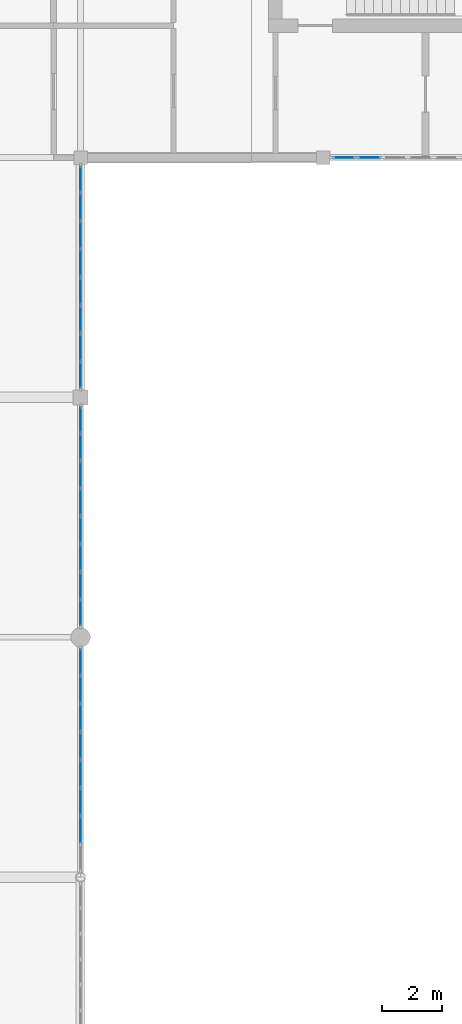
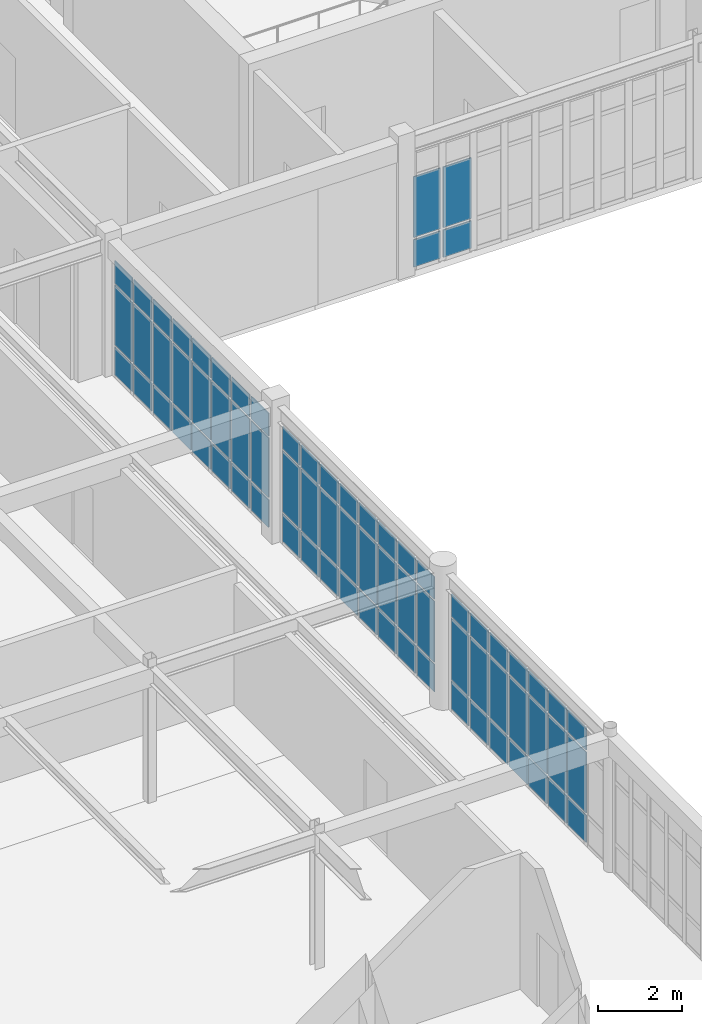
# One storey, part 25 of 36: 73 plates, 4 elements without a shape of their own.
"""IFC4 building model written with IfcOpenShell, lengths in metres."""

from ifc_helpers import new_model, si_unit, direction, frame, origin, origin_2d, place, context, subcontext, project, spatial, rectangle, extrude, material, layer, layer_set, type_object, element, aggregate, save


model = new_model("IFC4")

# Units and contexts
model_context = context("Model", 3, precision=1e-05, world=origin(), true_north=direction((0.0, 1.0)))
body_context = subcontext(model_context, "Body", "Model", "MODEL_VIEW")
ifc_project = project(units=[si_unit("LENGTHUNIT", "METRE"), si_unit("AREAUNIT", "SQUARE_METRE"), si_unit("VOLUMEUNIT", "CUBIC_METRE"), si_unit("PLANEANGLEUNIT", "RADIAN"), si_unit("MASSUNIT", "GRAM", prefix="KILO")], contexts=[model_context])

# Site, building, storey
site_placement = place(None, origin())
site = spatial("IfcSite", under=ifc_project, at=site_placement, CompositionType="ELEMENT")
building_placement = place(site_placement, origin())
building = spatial("IfcBuilding", under=site, at=building_placement, Name="Tarnveldt Square Police Headquarters", CompositionType="ELEMENT")
storey_placement = place(building_placement, frame((0.0, 0.0, 24.89990234375)))
storey = spatial("IfcBuildingStorey", under=building, at=storey_placement, Name="L05", CompositionType="ELEMENT", Elevation=24.89990234375)

# Curtain wall, plates
ifc_material = material(Name="Triple-glazed low-e laminated vision glass", Category="glass")
curtain_wall_type_1 = type_object("IfcCurtainWallType", Name="CW-UP-748x349", PredefinedType="USERDEFINED", material=ifc_material)
curtain_wall_1_placement = place(storey_placement, origin())
curtain_wall_1 = element("IfcCurtainWall", 1, at=curtain_wall_1_placement, inside=storey, type_object=curtain_wall_type_1, Name="L05 Curtain Wall CW-L05-086", ObjectType="GLAZED CURTAIN WALL", PredefinedType="USERDEFINED")
ifc_layer = layer(ifc_material, 0.028076171875)
ifc_layer_set = layer_set([ifc_layer], Name="Triple-glazed low-e laminated vision glass")
plate_type = type_object("IfcPlateType", Name="CWP-VIS-28", PredefinedType="CURTAIN_PANEL", material=ifc_layer_set)
plate_1_placement = place(storey_placement, frame((40.5, 73.580078125, 0.06494140625), z_axis=(0.0, 0.0, 1.0), x_axis=(0.0, 1.0, 0.0)))
plate_1 = element("IfcPlate", 2, at=plate_1_placement, type_object=plate_type, Name="CW-UP44 panel 2.1", PredefinedType="CURTAIN_PANEL", context=body_context, shape_type="SweptSolid", body=[
    extrude(rectangle(XDim=0.870361328125, YDim=0.028076171875, at=origin_2d()), origin(), (0.0, 0.0, 1.0), 0.802490234375),
])
plate_2_placement = place(storey_placement, frame((40.5, 73.580078125, 0.9326171875), z_axis=(0.0, 0.0, 1.0), x_axis=(0.0, 1.0, 0.0)))
plate_2 = element("IfcPlate", 3, at=plate_2_placement, type_object=plate_type, Name="CW-UP44 panel 2.2", PredefinedType="CURTAIN_PANEL", context=body_context, shape_type="SweptSolid", body=[
    extrude(rectangle(XDim=0.870361328125, YDim=0.028076171875, at=origin_2d()), origin(), (0.0, 0.0, 1.0), 1.77392578125),
])
plate_3_placement = place(storey_placement, frame((40.5, 73.580078125, 2.771484375), z_axis=(0.0, 0.0, 1.0), x_axis=(0.0, 1.0, 0.0)))
plate_3 = element("IfcPlate", 4, at=plate_3_placement, type_object=plate_type, Name="CW-UP44 panel 2.3", PredefinedType="CURTAIN_PANEL", context=body_context, shape_type="SweptSolid", body=[
    extrude(rectangle(XDim=0.870361328125, YDim=0.028076171875, at=origin_2d()), origin(), (0.0, 0.0, 1.0), 0.652587890625),
])
plate_4_placement = place(storey_placement, frame((40.5, 74.515380859375, 0.06494140625), z_axis=(0.0, 0.0, 1.0), x_axis=(0.0, 1.0, 0.0)))
plate_4 = element("IfcPlate", 5, at=plate_4_placement, type_object=plate_type, Name="CW-UP44 panel 3.1", PredefinedType="CURTAIN_PANEL", context=body_context, shape_type="SweptSolid", body=[
    extrude(rectangle(XDim=0.870361328125, YDim=0.028076171875, at=origin_2d()), origin(), (0.0, 0.0, 1.0), 0.802490234375),
])
plate_5_placement = place(storey_placement, frame((40.5, 74.515380859375, 0.9326171875), z_axis=(0.0, 0.0, 1.0), x_axis=(0.0, 1.0, 0.0)))
plate_5 = element("IfcPlate", 6, at=plate_5_placement, type_object=plate_type, Name="CW-UP44 panel 3.2", PredefinedType="CURTAIN_PANEL", context=body_context, shape_type="SweptSolid", body=[
    extrude(rectangle(XDim=0.870361328125, YDim=0.028076171875, at=origin_2d()), origin(), (0.0, 0.0, 1.0), 1.77392578125),
])
plate_6_placement = place(storey_placement, frame((40.5, 74.515380859375, 2.771484375), z_axis=(0.0, 0.0, 1.0), x_axis=(0.0, 1.0, 0.0)))
plate_6 = element("IfcPlate", 7, at=plate_6_placement, type_object=plate_type, Name="CW-UP44 panel 3.3", PredefinedType="CURTAIN_PANEL", context=body_context, shape_type="SweptSolid", body=[
    extrude(rectangle(XDim=0.870361328125, YDim=0.028076171875, at=origin_2d()), origin(), (0.0, 0.0, 1.0), 0.652587890625),
])
plate_7_placement = place(storey_placement, frame((40.5, 75.450927734375, 0.06494140625), z_axis=(0.0, 0.0, 1.0), x_axis=(0.0, 1.0, 0.0)))
plate_7 = element("IfcPlate", 8, at=plate_7_placement, type_object=plate_type, Name="CW-UP44 panel 4.1", PredefinedType="CURTAIN_PANEL", context=body_context, shape_type="SweptSolid", body=[
    extrude(rectangle(XDim=0.870361328125, YDim=0.028076171875, at=origin_2d()), origin(), (0.0, 0.0, 1.0), 0.802490234375),
])
plate_8_placement = place(storey_placement, frame((40.5, 75.450927734375, 0.9326171875), z_axis=(0.0, 0.0, 1.0), x_axis=(0.0, 1.0, 0.0)))
plate_8 = element("IfcPlate", 9, at=plate_8_placement, type_object=plate_type, Name="CW-UP44 panel 4.2", PredefinedType="CURTAIN_PANEL", context=body_context, shape_type="SweptSolid", body=[
    extrude(rectangle(XDim=0.870361328125, YDim=0.028076171875, at=origin_2d()), origin(), (0.0, 0.0, 1.0), 1.77392578125),
])
plate_9_placement = place(storey_placement, frame((40.5, 75.450927734375, 2.771484375), z_axis=(0.0, 0.0, 1.0), x_axis=(0.0, 1.0, 0.0)))
plate_9 = element("IfcPlate", 10, at=plate_9_placement, type_object=plate_type, Name="CW-UP44 panel 4.3", PredefinedType="CURTAIN_PANEL", context=body_context, shape_type="SweptSolid", body=[
    extrude(rectangle(XDim=0.870361328125, YDim=0.028076171875, at=origin_2d()), origin(), (0.0, 0.0, 1.0), 0.652587890625),
])
plate_10_placement = place(storey_placement, frame((40.5, 76.38623046875, 0.06494140625), z_axis=(0.0, 0.0, 1.0), x_axis=(0.0, 1.0, 0.0)))
plate_10 = element("IfcPlate", 11, at=plate_10_placement, type_object=plate_type, Name="CW-UP44 panel 5.1", PredefinedType="CURTAIN_PANEL", context=body_context, shape_type="SweptSolid", body=[
    extrude(rectangle(XDim=0.870361328125, YDim=0.028076171875, at=origin_2d()), origin(), (0.0, 0.0, 1.0), 0.802490234375),
])
plate_11_placement = place(storey_placement, frame((40.5, 76.38623046875, 0.9326171875), z_axis=(0.0, 0.0, 1.0), x_axis=(0.0, 1.0, 0.0)))
plate_11 = element("IfcPlate", 12, at=plate_11_placement, type_object=plate_type, Name="CW-UP44 panel 5.2", PredefinedType="CURTAIN_PANEL", context=body_context, shape_type="SweptSolid", body=[
    extrude(rectangle(XDim=0.870361328125, YDim=0.028076171875, at=origin_2d()), origin(), (0.0, 0.0, 1.0), 1.77392578125),
])
plate_12_placement = place(storey_placement, frame((40.5, 76.38623046875, 2.771484375), z_axis=(0.0, 0.0, 1.0), x_axis=(0.0, 1.0, 0.0)))
plate_12 = element("IfcPlate", 13, at=plate_12_placement, type_object=plate_type, Name="CW-UP44 panel 5.3", PredefinedType="CURTAIN_PANEL", context=body_context, shape_type="SweptSolid", body=[
    extrude(rectangle(XDim=0.870361328125, YDim=0.028076171875, at=origin_2d()), origin(), (0.0, 0.0, 1.0), 0.652587890625),
])
plate_13_placement = place(storey_placement, frame((40.5, 77.321533203125, 0.06494140625), z_axis=(0.0, 0.0, 1.0), x_axis=(0.0, 1.0, 0.0)))
plate_13 = element("IfcPlate", 14, at=plate_13_placement, type_object=plate_type, Name="CW-UP44 panel 6.1", PredefinedType="CURTAIN_PANEL", context=body_context, shape_type="SweptSolid", body=[
    extrude(rectangle(XDim=0.870361328125, YDim=0.028076171875, at=origin_2d()), origin(), (0.0, 0.0, 1.0), 0.802490234375),
])
plate_14_placement = place(storey_placement, frame((40.5, 77.321533203125, 0.9326171875), z_axis=(0.0, 0.0, 1.0), x_axis=(0.0, 1.0, 0.0)))
plate_14 = element("IfcPlate", 15, at=plate_14_placement, type_object=plate_type, Name="CW-UP44 panel 6.2", PredefinedType="CURTAIN_PANEL", context=body_context, shape_type="SweptSolid", body=[
    extrude(rectangle(XDim=0.870361328125, YDim=0.028076171875, at=origin_2d()), origin(), (0.0, 0.0, 1.0), 1.77392578125),
])
plate_15_placement = place(storey_placement, frame((40.5, 77.321533203125, 2.771484375), z_axis=(0.0, 0.0, 1.0), x_axis=(0.0, 1.0, 0.0)))
plate_15 = element("IfcPlate", 16, at=plate_15_placement, type_object=plate_type, Name="CW-UP44 panel 6.3", PredefinedType="CURTAIN_PANEL", context=body_context, shape_type="SweptSolid", body=[
    extrude(rectangle(XDim=0.870361328125, YDim=0.028076171875, at=origin_2d()), origin(), (0.0, 0.0, 1.0), 0.652587890625),
])
plate_16_placement = place(storey_placement, frame((40.5, 78.2568359375, 0.06494140625), z_axis=(0.0, 0.0, 1.0), x_axis=(0.0, 1.0, 0.0)))
plate_16 = element("IfcPlate", 17, at=plate_16_placement, type_object=plate_type, Name="CW-UP44 panel 7.1", PredefinedType="CURTAIN_PANEL", context=body_context, shape_type="SweptSolid", body=[
    extrude(rectangle(XDim=0.870361328125, YDim=0.028076171875, at=origin_2d()), origin(), (0.0, 0.0, 1.0), 0.802490234375),
])
plate_17_placement = place(storey_placement, frame((40.5, 78.2568359375, 0.9326171875), z_axis=(0.0, 0.0, 1.0), x_axis=(0.0, 1.0, 0.0)))
plate_17 = element("IfcPlate", 18, at=plate_17_placement, type_object=plate_type, Name="CW-UP44 panel 7.2", PredefinedType="CURTAIN_PANEL", context=body_context, shape_type="SweptSolid", body=[
    extrude(rectangle(XDim=0.870361328125, YDim=0.028076171875, at=origin_2d()), origin(), (0.0, 0.0, 1.0), 1.77392578125),
])
plate_18_placement = place(storey_placement, frame((40.5, 78.2568359375, 2.771484375), z_axis=(0.0, 0.0, 1.0), x_axis=(0.0, 1.0, 0.0)))
plate_18 = element("IfcPlate", 19, at=plate_18_placement, type_object=plate_type, Name="CW-UP44 panel 7.3", PredefinedType="CURTAIN_PANEL", context=body_context, shape_type="SweptSolid", body=[
    extrude(rectangle(XDim=0.870361328125, YDim=0.028076171875, at=origin_2d()), origin(), (0.0, 0.0, 1.0), 0.652587890625),
])
plate_19_placement = place(storey_placement, frame((40.5, 79.176025390625, 0.06494140625), z_axis=(0.0, 0.0, 1.0), x_axis=(0.0, 1.0, 0.0)))
plate_19 = element("IfcPlate", 20, at=plate_19_placement, type_object=plate_type, Name="CW-UP44 panel 8.1", PredefinedType="CURTAIN_PANEL", context=body_context, shape_type="SweptSolid", body=[
    extrude(rectangle(XDim=0.837890625, YDim=0.028076171875, at=origin_2d()), origin(), (0.0, 0.0, 1.0), 0.802490234375),
])
plate_20_placement = place(storey_placement, frame((40.5, 79.176025390625, 0.9326171875), z_axis=(0.0, 0.0, 1.0), x_axis=(0.0, 1.0, 0.0)))
plate_20 = element("IfcPlate", 21, at=plate_20_placement, type_object=plate_type, Name="CW-UP44 panel 8.2", PredefinedType="CURTAIN_PANEL", context=body_context, shape_type="SweptSolid", body=[
    extrude(rectangle(XDim=0.837890625, YDim=0.028076171875, at=origin_2d()), origin(), (0.0, 0.0, 1.0), 1.77392578125),
])
plate_21_placement = place(storey_placement, frame((40.5, 79.176025390625, 2.771484375), z_axis=(0.0, 0.0, 1.0), x_axis=(0.0, 1.0, 0.0)))
plate_21 = element("IfcPlate", 22, at=plate_21_placement, type_object=plate_type, Name="CW-UP44 panel 8.3", PredefinedType="CURTAIN_PANEL", context=body_context, shape_type="SweptSolid", body=[
    extrude(rectangle(XDim=0.837890625, YDim=0.028076171875, at=origin_2d()), origin(), (0.0, 0.0, 1.0), 0.652587890625),
])
aggregate(curtain_wall_1, [plate_1, plate_2, plate_3, plate_4, plate_5, plate_6, plate_7, plate_8, plate_9, plate_10, plate_11, plate_12, plate_13, plate_14, plate_15, plate_16, plate_17, plate_18, plate_19, plate_20, plate_21])

curtain_wall_type_2 = type_object("IfcCurtainWallType", Name="CW-UP-739x349", PredefinedType="USERDEFINED", material=ifc_material)
curtain_wall_2_placement = place(storey_placement, origin())
curtain_wall_2 = element("IfcCurtainWall", 23, at=curtain_wall_2_placement, inside=storey, type_object=curtain_wall_type_2, Name="L05 Curtain Wall CW-L05-087", ObjectType="GLAZED CURTAIN WALL", PredefinedType="USERDEFINED")
plate_22_placement = place(storey_placement, frame((40.5, 80.818359375, 0.06494140625), z_axis=(0.0, 0.0, 1.0), x_axis=(0.0, 1.0, 0.0)))
plate_22 = element("IfcPlate", 24, at=plate_22_placement, type_object=plate_type, Name="CW-UP45 panel 1.1", PredefinedType="CURTAIN_PANEL", context=body_context, shape_type="SweptSolid", body=[
    extrude(rectangle(XDim=0.826904296875, YDim=0.028076171875, at=origin_2d()), origin(), (0.0, 0.0, 1.0), 0.802490234375),
])
plate_23_placement = place(storey_placement, frame((40.5, 80.818359375, 0.9326171875), z_axis=(0.0, 0.0, 1.0), x_axis=(0.0, 1.0, 0.0)))
plate_23 = element("IfcPlate", 25, at=plate_23_placement, type_object=plate_type, Name="CW-UP45 panel 1.2", PredefinedType="CURTAIN_PANEL", context=body_context, shape_type="SweptSolid", body=[
    extrude(rectangle(XDim=0.826904296875, YDim=0.028076171875, at=origin_2d()), origin(), (0.0, 0.0, 1.0), 1.77392578125),
])
plate_24_placement = place(storey_placement, frame((40.5, 80.818359375, 2.771484375), z_axis=(0.0, 0.0, 1.0), x_axis=(0.0, 1.0, 0.0)))
plate_24 = element("IfcPlate", 26, at=plate_24_placement, type_object=plate_type, Name="CW-UP45 panel 1.3", PredefinedType="CURTAIN_PANEL", context=body_context, shape_type="SweptSolid", body=[
    extrude(rectangle(XDim=0.826904296875, YDim=0.028076171875, at=origin_2d()), origin(), (0.0, 0.0, 1.0), 0.652587890625),
])
plate_25_placement = place(storey_placement, frame((40.5, 81.7265625, 0.06494140625), z_axis=(0.0, 0.0, 1.0), x_axis=(0.0, 1.0, 0.0)))
plate_25 = element("IfcPlate", 27, at=plate_25_placement, type_object=plate_type, Name="CW-UP45 panel 2.1", PredefinedType="CURTAIN_PANEL", context=body_context, shape_type="SweptSolid", body=[
    extrude(rectangle(XDim=0.859375, YDim=0.028076171875, at=origin_2d()), origin(), (0.0, 0.0, 1.0), 0.802490234375),
])
plate_26_placement = place(storey_placement, frame((40.5, 81.7265625, 0.9326171875), z_axis=(0.0, 0.0, 1.0), x_axis=(0.0, 1.0, 0.0)))
plate_26 = element("IfcPlate", 28, at=plate_26_placement, type_object=plate_type, Name="CW-UP45 panel 2.2", PredefinedType="CURTAIN_PANEL", context=body_context, shape_type="SweptSolid", body=[
    extrude(rectangle(XDim=0.859375, YDim=0.028076171875, at=origin_2d()), origin(), (0.0, 0.0, 1.0), 1.77392578125),
])
plate_27_placement = place(storey_placement, frame((40.5, 81.7265625, 2.771484375), z_axis=(0.0, 0.0, 1.0), x_axis=(0.0, 1.0, 0.0)))
plate_27 = element("IfcPlate", 29, at=plate_27_placement, type_object=plate_type, Name="CW-UP45 panel 2.3", PredefinedType="CURTAIN_PANEL", context=body_context, shape_type="SweptSolid", body=[
    extrude(rectangle(XDim=0.859375, YDim=0.028076171875, at=origin_2d()), origin(), (0.0, 0.0, 1.0), 0.652587890625),
])
plate_28_placement = place(storey_placement, frame((40.5, 82.65087890625, 0.06494140625), z_axis=(0.0, 0.0, 1.0), x_axis=(0.0, 1.0, 0.0)))
plate_28 = element("IfcPlate", 30, at=plate_28_placement, type_object=plate_type, Name="CW-UP45 panel 3.1", PredefinedType="CURTAIN_PANEL", context=body_context, shape_type="SweptSolid", body=[
    extrude(rectangle(XDim=0.859375, YDim=0.028076171875, at=origin_2d()), origin(), (0.0, 0.0, 1.0), 0.802490234375),
])
plate_29_placement = place(storey_placement, frame((40.5, 82.65087890625, 0.9326171875), z_axis=(0.0, 0.0, 1.0), x_axis=(0.0, 1.0, 0.0)))
plate_29 = element("IfcPlate", 31, at=plate_29_placement, type_object=plate_type, Name="CW-UP45 panel 3.2", PredefinedType="CURTAIN_PANEL", context=body_context, shape_type="SweptSolid", body=[
    extrude(rectangle(XDim=0.859375, YDim=0.028076171875, at=origin_2d()), origin(), (0.0, 0.0, 1.0), 1.77392578125),
])
plate_30_placement = place(storey_placement, frame((40.5, 82.65087890625, 2.771484375), z_axis=(0.0, 0.0, 1.0), x_axis=(0.0, 1.0, 0.0)))
plate_30 = element("IfcPlate", 32, at=plate_30_placement, type_object=plate_type, Name="CW-UP45 panel 3.3", PredefinedType="CURTAIN_PANEL", context=body_context, shape_type="SweptSolid", body=[
    extrude(rectangle(XDim=0.859375, YDim=0.028076171875, at=origin_2d()), origin(), (0.0, 0.0, 1.0), 0.652587890625),
])
plate_31_placement = place(storey_placement, frame((40.5, 83.5751953125, 0.06494140625), z_axis=(0.0, 0.0, 1.0), x_axis=(0.0, 1.0, 0.0)))
plate_31 = element("IfcPlate", 33, at=plate_31_placement, type_object=plate_type, Name="CW-UP45 panel 4.1", PredefinedType="CURTAIN_PANEL", context=body_context, shape_type="SweptSolid", body=[
    extrude(rectangle(XDim=0.859375, YDim=0.028076171875, at=origin_2d()), origin(), (0.0, 0.0, 1.0), 0.802490234375),
])
plate_32_placement = place(storey_placement, frame((40.5, 83.5751953125, 0.9326171875), z_axis=(0.0, 0.0, 1.0), x_axis=(0.0, 1.0, 0.0)))
plate_32 = element("IfcPlate", 34, at=plate_32_placement, type_object=plate_type, Name="CW-UP45 panel 4.2", PredefinedType="CURTAIN_PANEL", context=body_context, shape_type="SweptSolid", body=[
    extrude(rectangle(XDim=0.859375, YDim=0.028076171875, at=origin_2d()), origin(), (0.0, 0.0, 1.0), 1.77392578125),
])
plate_33_placement = place(storey_placement, frame((40.5, 83.5751953125, 2.771484375), z_axis=(0.0, 0.0, 1.0), x_axis=(0.0, 1.0, 0.0)))
plate_33 = element("IfcPlate", 35, at=plate_33_placement, type_object=plate_type, Name="CW-UP45 panel 4.3", PredefinedType="CURTAIN_PANEL", context=body_context, shape_type="SweptSolid", body=[
    extrude(rectangle(XDim=0.859375, YDim=0.028076171875, at=origin_2d()), origin(), (0.0, 0.0, 1.0), 0.652587890625),
])
plate_34_placement = place(storey_placement, frame((40.5, 84.499755859375, 0.06494140625), z_axis=(0.0, 0.0, 1.0), x_axis=(0.0, 1.0, 0.0)))
plate_34 = element("IfcPlate", 36, at=plate_34_placement, type_object=plate_type, Name="CW-UP45 panel 5.1", PredefinedType="CURTAIN_PANEL", context=body_context, shape_type="SweptSolid", body=[
    extrude(rectangle(XDim=0.859375, YDim=0.028076171875, at=origin_2d()), origin(), (0.0, 0.0, 1.0), 0.802490234375),
])
plate_35_placement = place(storey_placement, frame((40.5, 84.499755859375, 0.9326171875), z_axis=(0.0, 0.0, 1.0), x_axis=(0.0, 1.0, 0.0)))
plate_35 = element("IfcPlate", 37, at=plate_35_placement, type_object=plate_type, Name="CW-UP45 panel 5.2", PredefinedType="CURTAIN_PANEL", context=body_context, shape_type="SweptSolid", body=[
    extrude(rectangle(XDim=0.859375, YDim=0.028076171875, at=origin_2d()), origin(), (0.0, 0.0, 1.0), 1.77392578125),
])
plate_36_placement = place(storey_placement, frame((40.5, 84.499755859375, 2.771484375), z_axis=(0.0, 0.0, 1.0), x_axis=(0.0, 1.0, 0.0)))
plate_36 = element("IfcPlate", 38, at=plate_36_placement, type_object=plate_type, Name="CW-UP45 panel 5.3", PredefinedType="CURTAIN_PANEL", context=body_context, shape_type="SweptSolid", body=[
    extrude(rectangle(XDim=0.859375, YDim=0.028076171875, at=origin_2d()), origin(), (0.0, 0.0, 1.0), 0.652587890625),
])
plate_37_placement = place(storey_placement, frame((40.5, 85.424072265625, 0.06494140625), z_axis=(0.0, 0.0, 1.0), x_axis=(0.0, 1.0, 0.0)))
plate_37 = element("IfcPlate", 39, at=plate_37_placement, type_object=plate_type, Name="CW-UP45 panel 6.1", PredefinedType="CURTAIN_PANEL", context=body_context, shape_type="SweptSolid", body=[
    extrude(rectangle(XDim=0.859375, YDim=0.028076171875, at=origin_2d()), origin(), (0.0, 0.0, 1.0), 0.802490234375),
])
plate_38_placement = place(storey_placement, frame((40.5, 85.424072265625, 0.9326171875), z_axis=(0.0, 0.0, 1.0), x_axis=(0.0, 1.0, 0.0)))
plate_38 = element("IfcPlate", 40, at=plate_38_placement, type_object=plate_type, Name="CW-UP45 panel 6.2", PredefinedType="CURTAIN_PANEL", context=body_context, shape_type="SweptSolid", body=[
    extrude(rectangle(XDim=0.859375, YDim=0.028076171875, at=origin_2d()), origin(), (0.0, 0.0, 1.0), 1.77392578125),
])
plate_39_placement = place(storey_placement, frame((40.5, 85.424072265625, 2.771484375), z_axis=(0.0, 0.0, 1.0), x_axis=(0.0, 1.0, 0.0)))
plate_39 = element("IfcPlate", 41, at=plate_39_placement, type_object=plate_type, Name="CW-UP45 panel 6.3", PredefinedType="CURTAIN_PANEL", context=body_context, shape_type="SweptSolid", body=[
    extrude(rectangle(XDim=0.859375, YDim=0.028076171875, at=origin_2d()), origin(), (0.0, 0.0, 1.0), 0.652587890625),
])
plate_40_placement = place(storey_placement, frame((40.5, 86.348388671875, 0.06494140625), z_axis=(0.0, 0.0, 1.0), x_axis=(0.0, 1.0, 0.0)))
plate_40 = element("IfcPlate", 42, at=plate_40_placement, type_object=plate_type, Name="CW-UP45 panel 7.1", PredefinedType="CURTAIN_PANEL", context=body_context, shape_type="SweptSolid", body=[
    extrude(rectangle(XDim=0.859375, YDim=0.028076171875, at=origin_2d()), origin(), (0.0, 0.0, 1.0), 0.802490234375),
])
plate_41_placement = place(storey_placement, frame((40.5, 86.348388671875, 0.9326171875), z_axis=(0.0, 0.0, 1.0), x_axis=(0.0, 1.0, 0.0)))
plate_41 = element("IfcPlate", 43, at=plate_41_placement, type_object=plate_type, Name="CW-UP45 panel 7.2", PredefinedType="CURTAIN_PANEL", context=body_context, shape_type="SweptSolid", body=[
    extrude(rectangle(XDim=0.859375, YDim=0.028076171875, at=origin_2d()), origin(), (0.0, 0.0, 1.0), 1.77392578125),
])
plate_42_placement = place(storey_placement, frame((40.5, 86.348388671875, 2.771484375), z_axis=(0.0, 0.0, 1.0), x_axis=(0.0, 1.0, 0.0)))
plate_42 = element("IfcPlate", 44, at=plate_42_placement, type_object=plate_type, Name="CW-UP45 panel 7.3", PredefinedType="CURTAIN_PANEL", context=body_context, shape_type="SweptSolid", body=[
    extrude(rectangle(XDim=0.859375, YDim=0.028076171875, at=origin_2d()), origin(), (0.0, 0.0, 1.0), 0.652587890625),
])
plate_43_placement = place(storey_placement, frame((40.5, 87.256591796875, 0.06494140625), z_axis=(0.0, 0.0, 1.0), x_axis=(0.0, 1.0, 0.0)))
plate_43 = element("IfcPlate", 45, at=plate_43_placement, type_object=plate_type, Name="CW-UP45 panel 8.1", PredefinedType="CURTAIN_PANEL", context=body_context, shape_type="SweptSolid", body=[
    extrude(rectangle(XDim=0.826904296875, YDim=0.028076171875, at=origin_2d()), origin(), (0.0, 0.0, 1.0), 0.802490234375),
])
plate_44_placement = place(storey_placement, frame((40.5, 87.256591796875, 0.9326171875), z_axis=(0.0, 0.0, 1.0), x_axis=(0.0, 1.0, 0.0)))
plate_44 = element("IfcPlate", 46, at=plate_44_placement, type_object=plate_type, Name="CW-UP45 panel 8.2", PredefinedType="CURTAIN_PANEL", context=body_context, shape_type="SweptSolid", body=[
    extrude(rectangle(XDim=0.826904296875, YDim=0.028076171875, at=origin_2d()), origin(), (0.0, 0.0, 1.0), 1.77392578125),
])
plate_45_placement = place(storey_placement, frame((40.5, 87.256591796875, 2.771484375), z_axis=(0.0, 0.0, 1.0), x_axis=(0.0, 1.0, 0.0)))
plate_45 = element("IfcPlate", 47, at=plate_45_placement, type_object=plate_type, Name="CW-UP45 panel 8.3", PredefinedType="CURTAIN_PANEL", context=body_context, shape_type="SweptSolid", body=[
    extrude(rectangle(XDim=0.826904296875, YDim=0.028076171875, at=origin_2d()), origin(), (0.0, 0.0, 1.0), 0.652587890625),
])
aggregate(curtain_wall_2, [plate_22, plate_23, plate_24, plate_25, plate_26, plate_27, plate_28, plate_29, plate_30, plate_31, plate_32, plate_33, plate_34, plate_35, plate_36, plate_37, plate_38, plate_39, plate_40, plate_41, plate_42, plate_43, plate_44, plate_45])

curtain_wall_type_3 = type_object("IfcCurtainWallType", Name="CW-UP-750x345", PredefinedType="USERDEFINED", material=ifc_material)
curtain_wall_3_placement = place(storey_placement, origin())
curtain_wall_3 = element("IfcCurtainWall", 48, at=curtain_wall_3_placement, inside=storey, type_object=curtain_wall_type_3, Name="L05 Curtain Wall CW-L05-088", ObjectType="GLAZED CURTAIN WALL", PredefinedType="USERDEFINED")
plate_46_placement = place(storey_placement, frame((40.5, 88.749755859375, 0.06494140625), z_axis=(0.0, 0.0, 1.0), x_axis=(0.0, 1.0, 0.0)))
plate_46 = element("IfcPlate", 49, at=plate_46_placement, type_object=plate_type, Name="CW-UP46 panel 1.1", PredefinedType="CURTAIN_PANEL", context=body_context, shape_type="SweptSolid", body=[
    extrude(rectangle(XDim=0.83935546875, YDim=0.028076171875, at=origin_2d()), origin(), (0.0, 0.0, 1.0), 0.802490234375),
])
plate_47_placement = place(storey_placement, frame((40.5, 88.749755859375, 0.9326171875), z_axis=(0.0, 0.0, 1.0), x_axis=(0.0, 1.0, 0.0)))
plate_47 = element("IfcPlate", 50, at=plate_47_placement, type_object=plate_type, Name="CW-UP46 panel 1.2", PredefinedType="CURTAIN_PANEL", context=body_context, shape_type="SweptSolid", body=[
    extrude(rectangle(XDim=0.83935546875, YDim=0.028076171875, at=origin_2d()), origin(), (0.0, 0.0, 1.0), 1.737060546875),
])
plate_48_placement = place(storey_placement, frame((40.5, 88.749755859375, 2.734375), z_axis=(0.0, 0.0, 1.0), x_axis=(0.0, 1.0, 0.0)))
plate_48 = element("IfcPlate", 51, at=plate_48_placement, type_object=plate_type, Name="CW-UP46 panel 1.3", PredefinedType="CURTAIN_PANEL", context=body_context, shape_type="SweptSolid", body=[
    extrude(rectangle(XDim=0.83935546875, YDim=0.028076171875, at=origin_2d()), origin(), (0.0, 0.0, 1.0), 0.652587890625),
])
plate_49_placement = place(storey_placement, frame((40.5, 89.67041015625, 0.06494140625), z_axis=(0.0, 0.0, 1.0), x_axis=(0.0, 1.0, 0.0)))
plate_49 = element("IfcPlate", 52, at=plate_49_placement, type_object=plate_type, Name="CW-UP46 panel 2.1", PredefinedType="CURTAIN_PANEL", context=body_context, shape_type="SweptSolid", body=[
    extrude(rectangle(XDim=0.871826171875, YDim=0.028076171875, at=origin_2d()), origin(), (0.0, 0.0, 1.0), 0.802490234375),
])
plate_50_placement = place(storey_placement, frame((40.5, 89.67041015625, 0.9326171875), z_axis=(0.0, 0.0, 1.0), x_axis=(0.0, 1.0, 0.0)))
plate_50 = element("IfcPlate", 53, at=plate_50_placement, type_object=plate_type, Name="CW-UP46 panel 2.2", PredefinedType="CURTAIN_PANEL", context=body_context, shape_type="SweptSolid", body=[
    extrude(rectangle(XDim=0.871826171875, YDim=0.028076171875, at=origin_2d()), origin(), (0.0, 0.0, 1.0), 1.737060546875),
])
plate_51_placement = place(storey_placement, frame((40.5, 89.67041015625, 2.734375), z_axis=(0.0, 0.0, 1.0), x_axis=(0.0, 1.0, 0.0)))
plate_51 = element("IfcPlate", 54, at=plate_51_placement, type_object=plate_type, Name="CW-UP46 panel 2.3", PredefinedType="CURTAIN_PANEL", context=body_context, shape_type="SweptSolid", body=[
    extrude(rectangle(XDim=0.871826171875, YDim=0.028076171875, at=origin_2d()), origin(), (0.0, 0.0, 1.0), 0.652587890625),
])
plate_52_placement = place(storey_placement, frame((40.5, 90.607177734375, 0.06494140625), z_axis=(0.0, 0.0, 1.0), x_axis=(0.0, 1.0, 0.0)))
plate_52 = element("IfcPlate", 55, at=plate_52_placement, type_object=plate_type, Name="CW-UP46 panel 3.1", PredefinedType="CURTAIN_PANEL", context=body_context, shape_type="SweptSolid", body=[
    extrude(rectangle(XDim=0.871826171875, YDim=0.028076171875, at=origin_2d()), origin(), (0.0, 0.0, 1.0), 0.802490234375),
])
plate_53_placement = place(storey_placement, frame((40.5, 90.607177734375, 0.9326171875), z_axis=(0.0, 0.0, 1.0), x_axis=(0.0, 1.0, 0.0)))
plate_53 = element("IfcPlate", 56, at=plate_53_placement, type_object=plate_type, Name="CW-UP46 panel 3.2", PredefinedType="CURTAIN_PANEL", context=body_context, shape_type="SweptSolid", body=[
    extrude(rectangle(XDim=0.871826171875, YDim=0.028076171875, at=origin_2d()), origin(), (0.0, 0.0, 1.0), 1.737060546875),
])
plate_54_placement = place(storey_placement, frame((40.5, 90.607177734375, 2.734375), z_axis=(0.0, 0.0, 1.0), x_axis=(0.0, 1.0, 0.0)))
plate_54 = element("IfcPlate", 57, at=plate_54_placement, type_object=plate_type, Name="CW-UP46 panel 3.3", PredefinedType="CURTAIN_PANEL", context=body_context, shape_type="SweptSolid", body=[
    extrude(rectangle(XDim=0.871826171875, YDim=0.028076171875, at=origin_2d()), origin(), (0.0, 0.0, 1.0), 0.652587890625),
])
plate_55_placement = place(storey_placement, frame((40.5, 91.5439453125, 0.06494140625), z_axis=(0.0, 0.0, 1.0), x_axis=(0.0, 1.0, 0.0)))
plate_55 = element("IfcPlate", 58, at=plate_55_placement, type_object=plate_type, Name="CW-UP46 panel 4.1", PredefinedType="CURTAIN_PANEL", context=body_context, shape_type="SweptSolid", body=[
    extrude(rectangle(XDim=0.871826171875, YDim=0.028076171875, at=origin_2d()), origin(), (0.0, 0.0, 1.0), 0.802490234375),
])
plate_56_placement = place(storey_placement, frame((40.5, 91.5439453125, 0.9326171875), z_axis=(0.0, 0.0, 1.0), x_axis=(0.0, 1.0, 0.0)))
plate_56 = element("IfcPlate", 59, at=plate_56_placement, type_object=plate_type, Name="CW-UP46 panel 4.2", PredefinedType="CURTAIN_PANEL", context=body_context, shape_type="SweptSolid", body=[
    extrude(rectangle(XDim=0.871826171875, YDim=0.028076171875, at=origin_2d()), origin(), (0.0, 0.0, 1.0), 1.737060546875),
])
plate_57_placement = place(storey_placement, frame((40.5, 91.5439453125, 2.734375), z_axis=(0.0, 0.0, 1.0), x_axis=(0.0, 1.0, 0.0)))
plate_57 = element("IfcPlate", 60, at=plate_57_placement, type_object=plate_type, Name="CW-UP46 panel 4.3", PredefinedType="CURTAIN_PANEL", context=body_context, shape_type="SweptSolid", body=[
    extrude(rectangle(XDim=0.871826171875, YDim=0.028076171875, at=origin_2d()), origin(), (0.0, 0.0, 1.0), 0.652587890625),
])
plate_58_placement = place(storey_placement, frame((40.5, 92.48095703125, 0.06494140625), z_axis=(0.0, 0.0, 1.0), x_axis=(0.0, 1.0, 0.0)))
plate_58 = element("IfcPlate", 61, at=plate_58_placement, type_object=plate_type, Name="CW-UP46 panel 5.1", PredefinedType="CURTAIN_PANEL", context=body_context, shape_type="SweptSolid", body=[
    extrude(rectangle(XDim=0.871826171875, YDim=0.028076171875, at=origin_2d()), origin(), (0.0, 0.0, 1.0), 0.802490234375),
])
plate_59_placement = place(storey_placement, frame((40.5, 92.48095703125, 0.9326171875), z_axis=(0.0, 0.0, 1.0), x_axis=(0.0, 1.0, 0.0)))
plate_59 = element("IfcPlate", 62, at=plate_59_placement, type_object=plate_type, Name="CW-UP46 panel 5.2", PredefinedType="CURTAIN_PANEL", context=body_context, shape_type="SweptSolid", body=[
    extrude(rectangle(XDim=0.871826171875, YDim=0.028076171875, at=origin_2d()), origin(), (0.0, 0.0, 1.0), 1.737060546875),
])
plate_60_placement = place(storey_placement, frame((40.5, 92.48095703125, 2.734375), z_axis=(0.0, 0.0, 1.0), x_axis=(0.0, 1.0, 0.0)))
plate_60 = element("IfcPlate", 63, at=plate_60_placement, type_object=plate_type, Name="CW-UP46 panel 5.3", PredefinedType="CURTAIN_PANEL", context=body_context, shape_type="SweptSolid", body=[
    extrude(rectangle(XDim=0.871826171875, YDim=0.028076171875, at=origin_2d()), origin(), (0.0, 0.0, 1.0), 0.652587890625),
])
plate_61_placement = place(storey_placement, frame((40.5, 93.417724609375, 0.06494140625), z_axis=(0.0, 0.0, 1.0), x_axis=(0.0, 1.0, 0.0)))
plate_61 = element("IfcPlate", 64, at=plate_61_placement, type_object=plate_type, Name="CW-UP46 panel 6.1", PredefinedType="CURTAIN_PANEL", context=body_context, shape_type="SweptSolid", body=[
    extrude(rectangle(XDim=0.871826171875, YDim=0.028076171875, at=origin_2d()), origin(), (0.0, 0.0, 1.0), 0.802490234375),
])
plate_62_placement = place(storey_placement, frame((40.5, 93.417724609375, 0.9326171875), z_axis=(0.0, 0.0, 1.0), x_axis=(0.0, 1.0, 0.0)))
plate_62 = element("IfcPlate", 65, at=plate_62_placement, type_object=plate_type, Name="CW-UP46 panel 6.2", PredefinedType="CURTAIN_PANEL", context=body_context, shape_type="SweptSolid", body=[
    extrude(rectangle(XDim=0.871826171875, YDim=0.028076171875, at=origin_2d()), origin(), (0.0, 0.0, 1.0), 1.737060546875),
])
plate_63_placement = place(storey_placement, frame((40.5, 93.417724609375, 2.734375), z_axis=(0.0, 0.0, 1.0), x_axis=(0.0, 1.0, 0.0)))
plate_63 = element("IfcPlate", 66, at=plate_63_placement, type_object=plate_type, Name="CW-UP46 panel 6.3", PredefinedType="CURTAIN_PANEL", context=body_context, shape_type="SweptSolid", body=[
    extrude(rectangle(XDim=0.871826171875, YDim=0.028076171875, at=origin_2d()), origin(), (0.0, 0.0, 1.0), 0.652587890625),
])
plate_64_placement = place(storey_placement, frame((40.5, 94.354736328125, 0.06494140625), z_axis=(0.0, 0.0, 1.0), x_axis=(0.0, 1.0, 0.0)))
plate_64 = element("IfcPlate", 67, at=plate_64_placement, type_object=plate_type, Name="CW-UP46 panel 7.1", PredefinedType="CURTAIN_PANEL", context=body_context, shape_type="SweptSolid", body=[
    extrude(rectangle(XDim=0.871826171875, YDim=0.028076171875, at=origin_2d()), origin(), (0.0, 0.0, 1.0), 0.802490234375),
])
plate_65_placement = place(storey_placement, frame((40.5, 94.354736328125, 0.9326171875), z_axis=(0.0, 0.0, 1.0), x_axis=(0.0, 1.0, 0.0)))
plate_65 = element("IfcPlate", 68, at=plate_65_placement, type_object=plate_type, Name="CW-UP46 panel 7.2", PredefinedType="CURTAIN_PANEL", context=body_context, shape_type="SweptSolid", body=[
    extrude(rectangle(XDim=0.871826171875, YDim=0.028076171875, at=origin_2d()), origin(), (0.0, 0.0, 1.0), 1.737060546875),
])
plate_66_placement = place(storey_placement, frame((40.5, 94.354736328125, 2.734375), z_axis=(0.0, 0.0, 1.0), x_axis=(0.0, 1.0, 0.0)))
plate_66 = element("IfcPlate", 69, at=plate_66_placement, type_object=plate_type, Name="CW-UP46 panel 7.3", PredefinedType="CURTAIN_PANEL", context=body_context, shape_type="SweptSolid", body=[
    extrude(rectangle(XDim=0.871826171875, YDim=0.028076171875, at=origin_2d()), origin(), (0.0, 0.0, 1.0), 0.652587890625),
])
plate_67_placement = place(storey_placement, frame((40.5, 95.275390625, 0.06494140625), z_axis=(0.0, 0.0, 1.0), x_axis=(0.0, 1.0, 0.0)))
plate_67 = element("IfcPlate", 70, at=plate_67_placement, type_object=plate_type, Name="CW-UP46 panel 8.1", PredefinedType="CURTAIN_PANEL", context=body_context, shape_type="SweptSolid", body=[
    extrude(rectangle(XDim=0.83935546875, YDim=0.028076171875, at=origin_2d()), origin(), (0.0, 0.0, 1.0), 0.802490234375),
])
plate_68_placement = place(storey_placement, frame((40.5, 95.275390625, 0.9326171875), z_axis=(0.0, 0.0, 1.0), x_axis=(0.0, 1.0, 0.0)))
plate_68 = element("IfcPlate", 71, at=plate_68_placement, type_object=plate_type, Name="CW-UP46 panel 8.2", PredefinedType="CURTAIN_PANEL", context=body_context, shape_type="SweptSolid", body=[
    extrude(rectangle(XDim=0.83935546875, YDim=0.028076171875, at=origin_2d()), origin(), (0.0, 0.0, 1.0), 1.737060546875),
])
plate_69_placement = place(storey_placement, frame((40.5, 95.275390625, 2.734375), z_axis=(0.0, 0.0, 1.0), x_axis=(0.0, 1.0, 0.0)))
plate_69 = element("IfcPlate", 72, at=plate_69_placement, type_object=plate_type, Name="CW-UP46 panel 8.3", PredefinedType="CURTAIN_PANEL", context=body_context, shape_type="SweptSolid", body=[
    extrude(rectangle(XDim=0.83935546875, YDim=0.028076171875, at=origin_2d()), origin(), (0.0, 0.0, 1.0), 0.652587890625),
])
aggregate(curtain_wall_3, [plate_46, plate_47, plate_48, plate_49, plate_50, plate_51, plate_52, plate_53, plate_54, plate_55, plate_56, plate_57, plate_58, plate_59, plate_60, plate_61, plate_62, plate_63, plate_64, plate_65, plate_66, plate_67, plate_68, plate_69])

curtain_wall_type_4 = type_object("IfcCurtainWallType", Name="CW-LB-771x349", PredefinedType="USERDEFINED", material=ifc_material)
curtain_wall_4_placement = place(storey_placement, origin())
curtain_wall_4 = element("IfcCurtainWall", 73, at=curtain_wall_4_placement, inside=storey, type_object=curtain_wall_type_4, Name="L05 Curtain Wall CW-L05-133", ObjectType="GLAZED CURTAIN WALL", PredefinedType="USERDEFINED")
plate_70_placement = place(storey_placement, frame((49.287353515625, 96.0, 0.06494140625), z_axis=(0.0, 0.0, 1.0), x_axis=(1.0, 0.0, 0.0)))
plate_70 = element("IfcPlate", 74, at=plate_70_placement, type_object=plate_type, Name="CW-LB80 panel 1.1", PredefinedType="CURTAIN_PANEL", context=body_context, shape_type="SweptSolid", body=[
    extrude(rectangle(XDim=0.74462890625, YDim=0.028076171875, at=origin_2d()), origin(), (0.0, 0.0, 1.0), 0.802490234375),
])
plate_71_placement = place(storey_placement, frame((49.287353515625, 96.0, 0.9326171875), z_axis=(0.0, 0.0, 1.0), x_axis=(1.0, 0.0, 0.0)))
plate_71 = element("IfcPlate", 75, at=plate_71_placement, type_object=plate_type, Name="CW-LB80 panel 1.2", PredefinedType="CURTAIN_PANEL", context=body_context, shape_type="SweptSolid", body=[
    extrude(rectangle(XDim=0.74462890625, YDim=0.028076171875, at=origin_2d()), origin(), (0.0, 0.0, 1.0), 1.77392578125),
])
plate_72_placement = place(storey_placement, frame((50.125732421875, 96.0, 0.06494140625), z_axis=(0.0, 0.0, 1.0), x_axis=(1.0, 0.0, 0.0)))
plate_72 = element("IfcPlate", 76, at=plate_72_placement, type_object=plate_type, Name="CW-LB80 panel 2.1", PredefinedType="CURTAIN_PANEL", context=body_context, shape_type="SweptSolid", body=[
    extrude(rectangle(XDim=0.7822265625, YDim=0.028076171875, at=origin_2d()), origin(), (0.0, 0.0, 1.0), 0.802490234375),
])
plate_73_placement = place(storey_placement, frame((50.125732421875, 96.0, 0.9326171875), z_axis=(0.0, 0.0, 1.0), x_axis=(1.0, 0.0, 0.0)))
plate_73 = element("IfcPlate", 77, at=plate_73_placement, type_object=plate_type, Name="CW-LB80 panel 2.2", PredefinedType="CURTAIN_PANEL", context=body_context, shape_type="SweptSolid", body=[
    extrude(rectangle(XDim=0.7822265625, YDim=0.028076171875, at=origin_2d()), origin(), (0.0, 0.0, 1.0), 1.77392578125),
])
aggregate(curtain_wall_4, [plate_70, plate_71, plate_72, plate_73])

save(model, "model.ifc")
